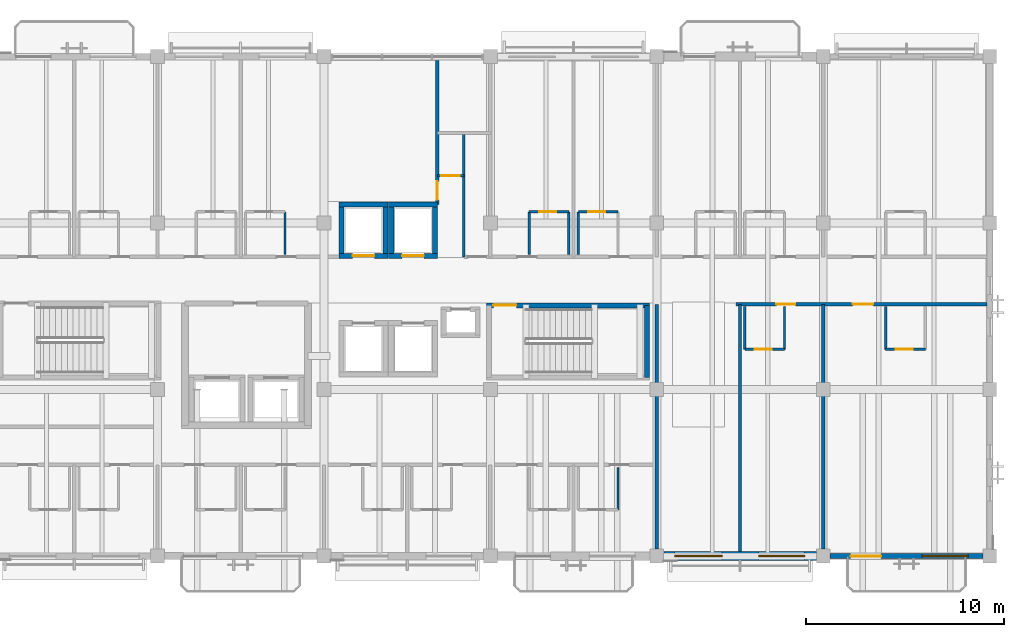
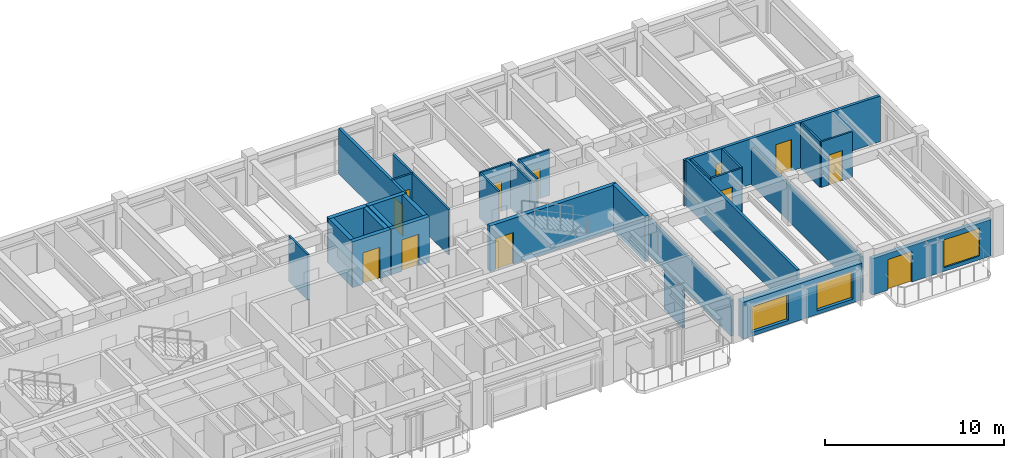
# One storey, part 10 of 18: 31 walls, 12 doors, 3 windows, 15 openings.
"""IFC4 building model written with IfcOpenShell, lengths in metres."""

from ifc_helpers import new_model, si_unit, direction, frame, frame_2d, origin, place, context, subcontext, project, spatial, rectangle, extrude, material, layer, layer_set, type_object, element, fill, save


model = new_model("IFC4")

# Units and contexts
model_context = context("Model", 3, precision=1e-05, world=origin(), true_north=direction((0.0, 1.0)))
body_context = subcontext(model_context, "Body", "Model", "MODEL_VIEW")
ifc_project = project(units=[si_unit("LENGTHUNIT", "METRE"), si_unit("AREAUNIT", "SQUARE_METRE"), si_unit("VOLUMEUNIT", "CUBIC_METRE"), si_unit("PLANEANGLEUNIT", "RADIAN"), si_unit("MASSUNIT", "GRAM", prefix="KILO")], contexts=[model_context])

# Site, building, storey
site_placement = place(None, origin())
site = spatial("IfcSite", under=ifc_project, at=site_placement, CompositionType="ELEMENT")
building_placement = place(site_placement, origin())
building = spatial("IfcBuilding", under=site, at=building_placement, Name="Cumbredor Promenade Congress Hotel", CompositionType="ELEMENT")
storey_placement = place(building_placement, frame((0.0, 0.0, 25.199951171875)))
storey = spatial("IfcBuildingStorey", under=building, at=storey_placement, Name="L07", CompositionType="ELEMENT", Elevation=25.199951171875)

# Wall
ifc_material_1 = material(Name="Moisture-resistant gypsum board on steel studs", Category="steel")
ifc_layer_1 = layer(ifc_material_1, 0.114990234375, Name="Moisture-resistant gypsum board on steel studs", Category="steel")
ifc_layer_set_1 = layer_set([ifc_layer_1], Name="Moisture-resistant gypsum board on steel studs")
wall_type_1 = type_object("IfcWallType", Name="WL-BATH-115", PredefinedType="PARTITIONING", material=ifc_layer_set_1)
wall_1_placement = place(storey_placement, frame((31.639892578125, 107.6201171875, 0.0), z_axis=(0.0, 0.0, 1.0), x_axis=(0.0, 1.0, 0.0)))
element("IfcWall", 1, at=wall_1_placement, inside=storey, type_object=wall_type_1, Name="L07 Interior Partition W-L07-BV2-0707", PredefinedType="PARTITIONING", context=body_context, shape_type="SweptSolid", body=[
    extrude(rectangle(XDim=2.14990234375, YDim=0.114990234375, at=frame_2d((1.074951171875, 0.0))), origin(), (0.0, 0.0, 1.0), 3.1201171875),
])

# Wall, opening, door
wall_2_placement = place(storey_placement, frame((43.9599609375, 109.77001953125, 0.0), z_axis=(0.0, 0.0, 1.0), x_axis=(1.0, 0.0, 0.0)))
wall_2 = element("IfcWall", 2, at=wall_2_placement, inside=storey, type_object=wall_type_1, Name="L07 Interior Partition W-L07-BH-0708", PredefinedType="PARTITIONING", context=body_context, shape_type="SweptSolid", body=[
    extrude(rectangle(XDim=2.0, YDim=0.114990234375, at=frame_2d((1.0, 0.0))), origin(), (0.0, 0.0, 1.0), 3.1201171875),
])
opening_1_placement = place(wall_2_placement, frame((0.5, 0.0, 0.0)))
opening_1 = element("IfcOpeningElement", 3, at=opening_1_placement, cuts=wall_2, Name="Opening ID-01", PredefinedType="OPENING", context=body_context, shape_type="SweptSolid", body=[
    extrude(rectangle(XDim=0.860107421875, YDim=2.050048828125, at=frame_2d((0.43017578125, 1.02490234375))), frame((0.0, 0.0673828125, 0.0), z_axis=(0.0, -1.0, 0.0), x_axis=(1.0, 0.0, 0.0)), (0.0, 0.0, 1.0), 0.135009765625),
])
ifc_material_2 = material(Name="Kiln-dried tropical hardwood", Category="wood")
door_type_1 = type_object("IfcDoorType", Name="DR-BATH-860", OperationType="NOTDEFINED", PredefinedType="DOOR", material=ifc_material_2)
door_1_placement = place(opening_1_placement, origin())
door_1 = element("IfcDoor", 4, at=door_1_placement, inside=storey, type_object=door_type_1, Name="L07 Interior Door W-L07-BH-0708-01", OperationType="SINGLE_SWING_RIGHT", OverallHeight=2.050048828125, OverallWidth=0.860107421875, PredefinedType="DOOR", context=body_context, shape_type="SweptSolid", body=[
    extrude(rectangle(XDim=0.860107421875, YDim=2.050048828125, at=frame_2d((0.43017578125, 1.02490234375))), frame((0.0, 0.02490234375, 0.0), z_axis=(0.0, -1.0, 0.0), x_axis=(1.0, 0.0, 0.0)), (0.0, 0.0, 1.0), 0.050048828125),
])
fill(opening_1, door_1)

# Walls
for number, where, z_axis, x_axis, name in (
    (5, (43.9599609375, 107.6201171875, 0.0), (0.0, 0.0, 1.0), (0.0, 1.0, 0.0), "L07 Interior Partition W-L07-BV1-0708"),
    (6, (45.9599609375, 107.6201171875, 0.0), (0.0, 0.0, 1.0), (0.0, 1.0, 0.0), "L07 Interior Partition W-L07-BV2-0708"),
):
    element("IfcWall", number, at=place(storey_placement, frame(where, z_axis=z_axis, x_axis=x_axis)), inside=storey, type_object=wall_type_1, Name=name, PredefinedType="PARTITIONING", context=body_context, shape_type="SweptSolid", body=[
        extrude(rectangle(XDim=2.14990234375, YDim=0.114990234375, at=frame_2d((1.074951171875, 0.0))), origin(), (0.0, 0.0, 1.0), 3.1201171875),
    ])

# Wall, opening, door
wall_3_placement = place(storey_placement, frame((46.43994140625, 109.77001953125, 0.0), z_axis=(0.0, 0.0, 1.0), x_axis=(1.0, 0.0, 0.0)))
wall_3 = element("IfcWall", 7, at=wall_3_placement, inside=storey, type_object=wall_type_1, Name="L07 Interior Partition W-L07-BH-0709", PredefinedType="PARTITIONING", context=body_context, shape_type="SweptSolid", body=[
    extrude(rectangle(XDim=2.0, YDim=0.114990234375, at=frame_2d((1.0, 0.0))), origin(), (0.0, 0.0, 1.0), 3.1201171875),
])
opening_2_placement = place(wall_3_placement, frame((0.5, 0.0, 0.0)))
opening_2 = element("IfcOpeningElement", 8, at=opening_2_placement, cuts=wall_3, Name="Opening ID-01", PredefinedType="OPENING", context=body_context, shape_type="SweptSolid", body=[
    extrude(rectangle(XDim=0.860107421875, YDim=2.050048828125, at=frame_2d((0.43017578125, 1.02490234375))), frame((0.0, 0.0673828125, 0.0), z_axis=(0.0, -1.0, 0.0), x_axis=(1.0, 0.0, 0.0)), (0.0, 0.0, 1.0), 0.135009765625),
])
door_2_placement = place(opening_2_placement, origin())
door_2 = element("IfcDoor", 9, at=door_2_placement, inside=storey, type_object=door_type_1, Name="L07 Interior Door W-L07-BH-0709-01", OperationType="SINGLE_SWING_LEFT", OverallHeight=2.050048828125, OverallWidth=0.860107421875, PredefinedType="DOOR", context=body_context, shape_type="SweptSolid", body=[
    extrude(rectangle(XDim=0.860107421875, YDim=2.050048828125, at=frame_2d((0.43017578125, 1.02490234375))), frame((0.0, 0.02490234375, 0.0), z_axis=(0.0, -1.0, 0.0), x_axis=(1.0, 0.0, 0.0)), (0.0, 0.0, 1.0), 0.050048828125),
])
fill(opening_2, door_2)

# Walls
wall_4_placement = place(storey_placement, frame((46.43994140625, 107.6201171875, 0.0), z_axis=(0.0, 0.0, 1.0), x_axis=(0.0, 1.0, 0.0)))
element("IfcWall", 10, at=wall_4_placement, inside=storey, type_object=wall_type_1, Name="L07 Interior Partition W-L07-BV1-0709", PredefinedType="PARTITIONING", context=body_context, shape_type="SweptSolid", body=[
    extrude(rectangle(XDim=2.14990234375, YDim=0.114990234375, at=frame_2d((1.074951171875, 0.0))), origin(), (0.0, 0.0, 1.0), 3.1201171875),
])
wall_5_placement = place(storey_placement, frame((48.43994140625, 94.72998046875, 0.0), z_axis=(0.0, 0.0, 1.0), x_axis=(0.0, 1.0, 0.0)))
element("IfcWall", 11, at=wall_5_placement, inside=storey, type_object=wall_type_1, Name="L07 Interior Partition W-L07-BV2-07712", PredefinedType="PARTITIONING", context=body_context, shape_type="SweptSolid", body=[
    extrude(rectangle(XDim=2.14990234375, YDim=0.114990234375, at=frame_2d((1.074951171875, 0.0))), origin(), (0.0, 0.0, 1.0), 2.64208984375),
])

# Wall, opening, door
wall_6_placement = place(storey_placement, frame((54.840087890625, 102.830078125, 0.0), z_axis=(0.0, 0.0, 1.0), x_axis=(1.0, 0.0, 0.0)))
wall_6 = element("IfcWall", 12, at=wall_6_placement, inside=storey, type_object=wall_type_1, Name="L07 Interior Partition W-L07-BH-0713", PredefinedType="PARTITIONING", context=body_context, shape_type="SweptSolid", body=[
    extrude(rectangle(XDim=2.0, YDim=0.114990234375, at=frame_2d((1.0, 0.0))), origin(), (0.0, 0.0, 1.0), 3.1201171875),
])
opening_3_placement = place(wall_6_placement, frame((0.5, 0.0, 0.0)))
opening_3 = element("IfcOpeningElement", 13, at=opening_3_placement, cuts=wall_6, Name="Opening ID-01", PredefinedType="OPENING", context=body_context, shape_type="SweptSolid", body=[
    extrude(rectangle(XDim=0.860107421875, YDim=2.050048828125, at=frame_2d((0.43017578125, 1.02490234375))), frame((0.0, 0.0673828125, 0.0), z_axis=(0.0, -1.0, 0.0), x_axis=(1.0, 0.0, 0.0)), (0.0, 0.0, 1.0), 0.135009765625),
])
door_3_placement = place(opening_3_placement, origin())
door_3 = element("IfcDoor", 14, at=door_3_placement, inside=storey, type_object=door_type_1, Name="L07 Interior Door W-L07-BH-0713-01", OperationType="SINGLE_SWING_LEFT", OverallHeight=2.050048828125, OverallWidth=0.860107421875, PredefinedType="DOOR", context=body_context, shape_type="SweptSolid", body=[
    extrude(rectangle(XDim=0.860107421875, YDim=2.050048828125, at=frame_2d((0.43017578125, 1.02490234375))), frame((0.0, 0.02490234375, 0.0), z_axis=(0.0, -1.0, 0.0), x_axis=(1.0, 0.0, 0.0)), (0.0, 0.0, 1.0), 0.050048828125),
])
fill(opening_3, door_3)

# Walls
for number, where, z_axis, x_axis, name in (
    (15, (54.840087890625, 102.830078125, 0.0), (0.0, 0.0, 1.0), (0.0, 1.0, 0.0), "L07 Interior Partition W-L07-BV1-0713"),
    (16, (56.840087890625, 102.830078125, 0.0), (0.0, 0.0, 1.0), (0.0, 1.0, 0.0), "L07 Interior Partition W-L07-BV2-0713"),
):
    element("IfcWall", number, at=place(storey_placement, frame(where, z_axis=z_axis, x_axis=x_axis)), inside=storey, type_object=wall_type_1, Name=name, PredefinedType="PARTITIONING", context=body_context, shape_type="SweptSolid", body=[
        extrude(rectangle(XDim=2.14990234375, YDim=0.114990234375, at=frame_2d((1.074951171875, 0.0))), origin(), (0.0, 0.0, 1.0), 3.1201171875),
    ])

# Wall, opening, door
wall_7_placement = place(storey_placement, frame((61.949951171875, 102.830078125, 0.0), z_axis=(0.0, 0.0, 1.0), x_axis=(1.0, 0.0, 0.0)))
wall_7 = element("IfcWall", 17, at=wall_7_placement, inside=storey, type_object=wall_type_1, Name="L07 Interior Partition W-L07-BH-0714", PredefinedType="PARTITIONING", context=body_context, shape_type="SweptSolid", body=[
    extrude(rectangle(XDim=2.0, YDim=0.114990234375, at=frame_2d((1.0, 0.0))), origin(), (0.0, 0.0, 1.0), 3.1201171875),
])
opening_4_placement = place(wall_7_placement, frame((0.5, 0.0, 0.0)))
opening_4 = element("IfcOpeningElement", 18, at=opening_4_placement, cuts=wall_7, Name="Opening ID-01", PredefinedType="OPENING", context=body_context, shape_type="SweptSolid", body=[
    extrude(rectangle(XDim=0.860107421875, YDim=2.050048828125, at=frame_2d((0.43017578125, 1.02490234375))), frame((0.0, 0.0673828125, 0.0), z_axis=(0.0, -1.0, 0.0), x_axis=(1.0, 0.0, 0.0)), (0.0, 0.0, 1.0), 0.135009765625),
])
door_4_placement = place(opening_4_placement, origin())
door_4 = element("IfcDoor", 19, at=door_4_placement, inside=storey, type_object=door_type_1, Name="L07 Interior Door W-L07-BH-0714-01", OperationType="SINGLE_SWING_RIGHT", OverallHeight=2.050048828125, OverallWidth=0.860107421875, PredefinedType="DOOR", context=body_context, shape_type="SweptSolid", body=[
    extrude(rectangle(XDim=0.860107421875, YDim=2.050048828125, at=frame_2d((0.43017578125, 1.02490234375))), frame((0.0, 0.02490234375, 0.0), z_axis=(0.0, -1.0, 0.0), x_axis=(1.0, 0.0, 0.0)), (0.0, 0.0, 1.0), 0.050048828125),
])
fill(opening_4, door_4)

# Wall
wall_8_placement = place(storey_placement, frame((61.949951171875, 102.830078125, 0.0), z_axis=(0.0, 0.0, 1.0), x_axis=(0.0, 1.0, 0.0)))
element("IfcWall", 20, at=wall_8_placement, inside=storey, type_object=wall_type_1, Name="L07 Interior Partition W-L07-BV1-0714", PredefinedType="PARTITIONING", context=body_context, shape_type="SweptSolid", body=[
    extrude(rectangle(XDim=2.14990234375, YDim=0.114990234375, at=frame_2d((1.074951171875, 0.0))), origin(), (0.0, 0.0, 1.0), 3.1201171875),
])

# Wall, opening, door
ifc_material_3 = material(Name="Fire-rated hotel corridor wall")
ifc_layer_2 = layer(ifc_material_3, 0.179931640625, Name="Fire-rated hotel corridor wall")
ifc_layer_set_2 = layer_set([ifc_layer_2], Name="Fire-rated hotel corridor wall")
wall_type_2 = type_object("IfcWallType", Name="WL-CORR-180", PredefinedType="PARTITIONING", material=ifc_layer_set_2)
wall_9_placement = place(storey_placement, frame((39.330078125, 110.14990234375, 0.0), z_axis=(0.0, 0.0, 1.0), x_axis=(0.0, 1.0, 0.0)))
wall_9 = element("IfcWall", 21, at=wall_9_placement, inside=storey, type_object=wall_type_2, Name="L07 Interior Partition W-L07-SALON-E", PredefinedType="PARTITIONING", context=body_context, shape_type="SweptSolid", body=[
    extrude(rectangle(XDim=7.260009765625, YDim=0.179931640625, at=frame_2d((3.6298828125, 0.0))), origin(), (0.0, 0.0, 1.0), 3.1201171875),
])
opening_5_placement = place(wall_9_placement, frame((0.219970703125, 0.0, 0.0)))
opening_5 = element("IfcOpeningElement", 22, at=opening_5_placement, cuts=wall_9, Name="Opening FD-03", PredefinedType="OPENING", context=body_context, shape_type="SweptSolid", body=[
    extrude(rectangle(XDim=0.93994140625, YDim=2.10009765625, at=frame_2d((0.469970703125, 1.050048828125))), frame((0.0, 0.10009765625, 0.0), z_axis=(0.0, -1.0, 0.0), x_axis=(1.0, 0.0, 0.0)), (0.0, 0.0, 1.0), 0.199951171875),
])
ifc_material_4 = material(Name="Painted galvanized steel fire door", Category="steel")
door_type_2 = type_object("IfcDoorType", Name="DR-SGL-FD60-950", OperationType="NOTDEFINED", PredefinedType="DOOR", material=ifc_material_4)
door_5_placement = place(opening_5_placement, origin())
door_5 = element("IfcDoor", 23, at=door_5_placement, inside=storey, type_object=door_type_2, Name="L07 Interior Door W-L07-SALON-E-01", OperationType="SINGLE_SWING_LEFT", OverallHeight=2.10009765625, OverallWidth=0.93994140625, PredefinedType="DOOR", context=body_context, shape_type="SweptSolid", body=[
    extrude(rectangle(XDim=0.93994140625, YDim=2.10009765625, at=frame_2d((0.469970703125, 1.050048828125))), frame((0.0, 0.02490234375, 0.0), z_axis=(0.0, -1.0, 0.0), x_axis=(1.0, 0.0, 0.0)), (0.0, 0.0, 1.0), 0.050048828125),
])
fill(opening_5, door_5)

# Wall, openings, doors
wall_10_placement = place(storey_placement, frame((54.39990234375, 105.10009765625, 0.0), z_axis=(0.0, 0.0, 1.0), x_axis=(1.0, 0.0, 0.0)))
wall_10 = element("IfcWall", 24, at=wall_10_placement, inside=storey, type_object=wall_type_2, Name="L07 Interior Partition W-L07-CORR-SE", PredefinedType="PARTITIONING", context=body_context, shape_type="SweptSolid", body=[
    extrude(rectangle(XDim=12.650146484375, YDim=0.179931640625, at=frame_2d((6.3251953125, 0.0))), origin(), (0.0, 0.0, 1.0), 3.1201171875),
])
opening_6_placement = place(wall_10_placement, frame((2.030029296875, 0.0, 0.0)))
opening_6 = element("IfcOpeningElement", 25, at=opening_6_placement, cuts=wall_10, Name="Opening FD-01", PredefinedType="OPENING", context=body_context, shape_type="SweptSolid", body=[
    extrude(rectangle(XDim=0.9599609375, YDim=2.14990234375, at=frame_2d((0.47998046875, 1.074951171875))), frame((0.0, 0.10009765625, 0.0), z_axis=(0.0, -1.0, 0.0), x_axis=(1.0, 0.0, 0.0)), (0.0, 0.0, 1.0), 0.199951171875),
])
opening_7_placement = place(wall_10_placement, frame((5.89990234375, 0.0, 0.0)))
opening_7 = element("IfcOpeningElement", 26, at=opening_7_placement, cuts=wall_10, Name="Opening FD-02", PredefinedType="OPENING", context=body_context, shape_type="SweptSolid", body=[
    extrude(rectangle(XDim=1.02001953125, YDim=2.14990234375, at=frame_2d((0.510009765625, 1.074951171875))), frame((0.0, 0.10009765625, 0.0), z_axis=(0.0, -1.0, 0.0), x_axis=(1.0, 0.0, 0.0)), (0.0, 0.0, 1.0), 0.199951171875),
])
ifc_material_5 = material(Name="Solid-core fire-rated tropical hardwood", Category="wood")
door_type_3 = type_object("IfcDoorType", Name="DR-GUEST-FD30-1000", OperationType="NOTDEFINED", PredefinedType="DOOR", material=ifc_material_5)
door_6_placement = place(opening_7_placement, origin())
door_6 = element("IfcDoor", 27, at=door_6_placement, inside=storey, type_object=door_type_3, Name="L07 Interior Door W-L07-CORR-SE-02", OperationType="SINGLE_SWING_LEFT", OverallHeight=2.14990234375, OverallWidth=1.02001953125, PredefinedType="DOOR", context=body_context, shape_type="SweptSolid", body=[
    extrude(rectangle(XDim=1.02001953125, YDim=2.14990234375, at=frame_2d((0.510009765625, 1.074951171875))), frame((0.0, 0.02490234375, 0.0), z_axis=(0.0, -1.0, 0.0), x_axis=(1.0, 0.0, 0.0)), (0.0, 0.0, 1.0), 0.050048828125),
])
fill(opening_7, door_6)
door_type_4 = type_object("IfcDoorType", Name="DR-GUEST-FD30-950", OperationType="NOTDEFINED", PredefinedType="DOOR", material=ifc_material_5)
door_7_placement = place(opening_6_placement, origin())
door_7 = element("IfcDoor", 28, at=door_7_placement, inside=storey, type_object=door_type_4, Name="L07 Interior Door W-L07-CORR-SE-01", OperationType="SINGLE_SWING_RIGHT", OverallHeight=2.14990234375, OverallWidth=0.9599609375, PredefinedType="DOOR", context=body_context, shape_type="SweptSolid", body=[
    extrude(rectangle(XDim=0.9599609375, YDim=2.14990234375, at=frame_2d((0.47998046875, 1.074951171875))), frame((0.0, 0.02490234375, 0.0), z_axis=(0.0, -1.0, 0.0), x_axis=(1.0, 0.0, 0.0)), (0.0, 0.0, 1.0), 0.050048828125),
])
fill(opening_6, door_7)

# Wall, openings, door, window
ifc_material_6 = material(Name="Concrete C40/50", Category="concrete")
ifc_layer_3 = layer(ifc_material_6, 0.260009765625, Name="Concrete C40/50", Category="concrete")
ifc_layer_set_3 = layer_set([ifc_layer_3], Name="Concrete C40/50")
wall_type_3 = type_object("IfcWallType", Name="WL-EXT-260", PredefinedType="SOLIDWALL", material=ifc_layer_set_3)
wall_11_placement = place(storey_placement, frame((59.15087890625, 92.39990234375, 0.0), z_axis=(0.0, 0.0, 1.0), x_axis=(1.0, 0.0, 0.0)))
wall_11 = element("IfcWall", 29, at=wall_11_placement, inside=storey, type_object=wall_type_3, Name="L07 Stepped Congress Hotel Wing South Envelope Wall 8", PredefinedType="SOLIDWALL", context=body_context, shape_type="SweptSolid", body=[
    extrude(rectangle(XDim=7.6982421875, YDim=0.260009765625, at=frame_2d((3.84912109375, 0.0))), origin(), (0.0, 0.0, 1.0), 2.494140625),
])
opening_8_placement = place(wall_11_placement, frame((1.02392578125, 0.0, 0.0)))
opening_8 = element("IfcOpeningElement", 30, at=opening_8_placement, cuts=wall_11, Name="Opening TD-01", PredefinedType="OPENING", context=body_context, shape_type="SweptSolid", body=[
    extrude(rectangle(XDim=1.550048828125, YDim=2.080078125, at=frame_2d((0.77490234375, 1.0400390625))), frame((0.0, 0.14013671875, 0.0), z_axis=(0.0, -1.0, 0.0), x_axis=(1.0, 0.0, 0.0)), (0.0, 0.0, 1.0), 0.280029296875),
])
opening_9_placement = place(wall_11_placement, frame((4.638916015625, 0.0, 0.25)))
opening_9 = element("IfcOpeningElement", 31, at=opening_9_placement, cuts=wall_11, Name="Opening WN-36", PredefinedType="OPENING", context=body_context, shape_type="SweptSolid", body=[
    extrude(rectangle(XDim=2.320068359375, YDim=1.89990234375, at=frame_2d((1.16015625, 0.949951171875))), frame((0.0, 0.14013671875, 0.0), z_axis=(0.0, -1.0, 0.0), x_axis=(1.0, 0.0, 0.0)), (0.0, 0.0, 1.0), 0.280029296875),
])
ifc_material_7 = material(Name="Thermally broken anodized aluminium and laminated safety glass", Category="aluminium")
door_type_5 = type_object("IfcDoorType", Name="EXT-DR-TER-1550x2080", OperationType="DOUBLE_DOOR_SINGLE_SWING", PredefinedType="DOOR", material=ifc_material_7)
door_8_placement = place(opening_8_placement, frame((1.550048828125, 0.0, 0.0), z_axis=(0.0, 0.0, 1.0), x_axis=(-1.0, 0.0, 0.0)))
door_8 = element("IfcDoor", 32, at=door_8_placement, inside=storey, type_object=door_type_5, Name="L07 Guestroom Veranda Balcony Door 078", OperationType="DOUBLE_DOOR_SINGLE_SWING", OverallHeight=2.080078125, OverallWidth=1.550048828125, PredefinedType="DOOR", context=body_context, shape_type="SweptSolid", body=[
    extrude(rectangle(XDim=1.550048828125, YDim=2.080078125, at=frame_2d((0.77490234375, 1.0400390625))), frame((0.0, 0.02490234375, 0.0), z_axis=(0.0, -1.0, 0.0), x_axis=(1.0, 0.0, 0.0)), (0.0, 0.0, 1.0), 0.050048828125),
])
fill(opening_8, door_8)
ifc_material_8 = material(Name="Thermally broken anodized aluminium and low-E glass", Category="aluminium")
window_type_1 = type_object("IfcWindowType", Name="Hospitality Floor-to-Ceiling Window WN-36 2320x1900", PartitioningType="DOUBLE_PANEL_VERTICAL", PredefinedType="WINDOW", material=ifc_material_8)
window_1_placement = place(opening_9_placement, origin())
window_1 = element("IfcWindow", 33, at=window_1_placement, inside=storey, type_object=window_type_1, Name="L07 Veranda Companion Floor-to-Ceiling Window 0626", OverallHeight=1.89990234375, OverallWidth=2.320068359375, PartitioningType="DOUBLE_PANEL_VERTICAL", PredefinedType="WINDOW", context=body_context, shape_type="SweptSolid", body=[
    extrude(rectangle(XDim=2.320068359375, YDim=1.89990234375, at=frame_2d((1.16015625, 0.949951171875))), frame((0.0, 0.030029296875, 0.0), z_axis=(0.0, -1.0, 0.0), x_axis=(1.0, 0.0, 0.0)), (0.0, 0.0, 1.0), 0.06005859375),
])
fill(opening_9, window_1)

# Wall, openings, windows
ifc_layer_4 = layer(ifc_material_6, 0.449951171875, Name="Concrete C40/50", Category="concrete")
ifc_layer_set_4 = layer_set([ifc_layer_4], Name="Concrete C40/50")
wall_type_4 = type_object("IfcWallType", Name="WL-EXT-450", PredefinedType="SOLIDWALL", material=ifc_layer_set_4)
wall_12_placement = place(storey_placement, frame((50.7509765625, 92.39990234375, 0.0), z_axis=(0.0, 0.0, 1.0), x_axis=(1.0, 0.0, 0.0)))
wall_12 = element("IfcWall", 34, at=wall_12_placement, inside=storey, type_object=wall_type_4, Name="L07 Stepped Congress Hotel Wing South Envelope Wall 7", PredefinedType="SOLIDWALL", context=body_context, shape_type="SweptSolid", body=[
    extrude(rectangle(XDim=7.697998046875, YDim=0.449951171875, at=frame_2d((3.84912109375, 0.0))), origin(), (0.0, 0.0, 1.0), 2.494140625),
])
opening_10_placement = place(wall_12_placement, frame((0.549072265625, 0.0, 0.25)))
opening_10 = element("IfcOpeningElement", 35, at=opening_10_placement, cuts=wall_12, Name="Opening WN-26", PredefinedType="OPENING", context=body_context, shape_type="SweptSolid", body=[
    extrude(rectangle(XDim=2.39990234375, YDim=1.75, at=frame_2d((1.199951171875, 0.875))), frame((0.0, 0.23486328125, 0.0), z_axis=(0.0, -1.0, 0.0), x_axis=(1.0, 0.0, 0.0)), (0.0, 0.0, 1.0), 0.469970703125),
])
opening_11_placement = place(wall_12_placement, frame((4.7890625, 0.0, 0.25)))
opening_11 = element("IfcOpeningElement", 36, at=opening_11_placement, cuts=wall_12, Name="Opening WN-36", PredefinedType="OPENING", context=body_context, shape_type="SweptSolid", body=[
    extrude(rectangle(XDim=2.320068359375, YDim=1.89990234375, at=frame_2d((1.16015625, 0.949951171875))), frame((0.0, 0.23486328125, 0.0), z_axis=(0.0, -1.0, 0.0), x_axis=(1.0, 0.0, 0.0)), (0.0, 0.0, 1.0), 0.469970703125),
])
window_type_2 = type_object("IfcWindowType", Name="Hospitality Floor-to-Ceiling Window WN-26 2400x1750", PartitioningType="DOUBLE_PANEL_VERTICAL", PredefinedType="WINDOW", material=ifc_material_8)
window_2_placement = place(opening_10_placement, origin())
window_2 = element("IfcWindow", 37, at=window_2_placement, inside=storey, type_object=window_type_2, Name="L07 Wide Hospitality Window 0624", OverallHeight=1.75, OverallWidth=2.39990234375, PartitioningType="DOUBLE_PANEL_VERTICAL", PredefinedType="WINDOW", context=body_context, shape_type="SweptSolid", body=[
    extrude(rectangle(XDim=2.39990234375, YDim=1.75, at=frame_2d((1.199951171875, 0.875))), frame((0.0, 0.030029296875, 0.0), z_axis=(0.0, -1.0, 0.0), x_axis=(1.0, 0.0, 0.0)), (0.0, 0.0, 1.0), 0.06005859375),
])
fill(opening_10, window_2)
window_3_placement = place(opening_11_placement, origin())
window_3 = element("IfcWindow", 38, at=window_3_placement, inside=storey, type_object=window_type_1, Name="L07 Wide Hospitality Window 0625", OverallHeight=1.89990234375, OverallWidth=2.320068359375, PartitioningType="DOUBLE_PANEL_VERTICAL", PredefinedType="WINDOW", context=body_context, shape_type="SweptSolid", body=[
    extrude(rectangle(XDim=2.320068359375, YDim=1.89990234375, at=frame_2d((1.16015625, 0.949951171875))), frame((0.0, 0.030029296875, 0.0), z_axis=(0.0, -1.0, 0.0), x_axis=(1.0, 0.0, 0.0)), (0.0, 0.0, 1.0), 0.06005859375),
])
fill(opening_11, window_3)

# Wall, opening, door
ifc_material_9 = material(Name="Gypsum board on steel studs", Category="steel")
ifc_layer_5 = layer(ifc_material_9, 0.125, Name="Gypsum board on steel studs", Category="steel")
ifc_layer_set_5 = layer_set([ifc_layer_5], Name="Gypsum board on steel studs")
wall_type_5 = type_object("IfcWallType", Name="WL-PART-125", PredefinedType="PARTITIONING", material=ifc_layer_set_5)
wall_13_placement = place(storey_placement, frame((39.330078125, 111.60009765625, 0.0), z_axis=(0.0, 0.0, 1.0), x_axis=(1.0, 0.0, 0.0)))
wall_13 = element("IfcWall", 39, at=wall_13_placement, inside=storey, type_object=wall_type_5, Name="L07 Interior Partition W-L07-HK-S", PredefinedType="PARTITIONING", context=body_context, shape_type="SweptSolid", body=[
    extrude(rectangle(XDim=1.329833984375, YDim=0.125, at=frame_2d((0.6650390625, 0.0))), origin(), (0.0, 0.0, 1.0), 3.1201171875),
])
opening_12_placement = place(wall_13_placement, frame((0.195068359375, 0.0, 0.0)))
opening_12 = element("IfcOpeningElement", 40, at=opening_12_placement, cuts=wall_13, Name="Opening FD-03", PredefinedType="OPENING", context=body_context, shape_type="SweptSolid", body=[
    extrude(rectangle(XDim=0.93994140625, YDim=2.10009765625, at=frame_2d((0.469970703125, 1.050048828125))), frame((0.0, 0.072509765625, 0.0), z_axis=(0.0, -1.0, 0.0), x_axis=(1.0, 0.0, 0.0)), (0.0, 0.0, 1.0), 0.14501953125),
])
door_9_placement = place(opening_12_placement, origin())
door_9 = element("IfcDoor", 41, at=door_9_placement, inside=storey, type_object=door_type_2, Name="L07 Interior Door W-L07-HK-S-01", OperationType="SINGLE_SWING_LEFT", OverallHeight=2.10009765625, OverallWidth=0.93994140625, PredefinedType="DOOR", context=body_context, shape_type="SweptSolid", body=[
    extrude(rectangle(XDim=0.93994140625, YDim=2.10009765625, at=frame_2d((0.469970703125, 1.050048828125))), frame((0.0, 0.02490234375, 0.0), z_axis=(0.0, -1.0, 0.0), x_axis=(1.0, 0.0, 0.0)), (0.0, 0.0, 1.0), 0.050048828125),
])
fill(opening_12, door_9)

# Wall
wall_14_placement = place(storey_placement, frame((40.659912109375, 107.5, 0.0), z_axis=(0.0, 0.0, 1.0), x_axis=(0.0, 1.0, 0.0)))
element("IfcWall", 42, at=wall_14_placement, inside=storey, type_object=wall_type_5, Name="L07 Interior Partition W-L07-HK-DIV", PredefinedType="PARTITIONING", context=body_context, shape_type="SweptSolid", body=[
    extrude(rectangle(XDim=6.25, YDim=0.125, at=frame_2d((3.125, 0.0))), origin(), (0.0, 0.0, 1.0), 3.1201171875),
])

# Wall, opening, door
ifc_layer_6 = layer(ifc_material_6, 0.2548828125, Name="Concrete C40/50", Category="concrete")
ifc_layer_set_6 = layer_set([ifc_layer_6], Name="Concrete C40/50")
wall_type_6 = type_object("IfcWallType", Name="WL-SHAFT-250", PredefinedType="SOLIDWALL", material=ifc_layer_set_6)
wall_15_placement = place(storey_placement, frame((41.802490234375, 105.050048828125, 0.0), z_axis=(0.0, 0.0, 1.0), x_axis=(1.0, 0.0, 0.0)))
wall_15 = element("IfcWall", 43, at=wall_15_placement, inside=storey, type_object=wall_type_6, Name="STAIR-ST-03-L07 Shaft Wall North", PredefinedType="SOLIDWALL", context=body_context, shape_type="SweptSolid", body=[
    extrude(rectangle(XDim=8.22509765625, YDim=0.2548828125, at=frame_2d((4.112548828125, 0.0))), origin(), (0.0, 0.0, 1.0), 3.1201171875),
])
opening_13_placement = place(wall_15_placement, frame((0.35009765625, 0.0, 0.0)))
opening_13 = element("IfcOpeningElement", 44, at=opening_13_placement, cuts=wall_15, Name="Opening SD-01", PredefinedType="OPENING", context=body_context, shape_type="SweptSolid", body=[
    extrude(rectangle(XDim=1.159912109375, YDim=2.14990234375, at=frame_2d((0.580078125, 1.074951171875))), frame((0.0, 0.137451171875, 0.0), z_axis=(0.0, -1.0, 0.0), x_axis=(1.0, 0.0, 0.0)), (0.0, 0.0, 1.0), 0.27490234375),
])
door_type_6 = type_object("IfcDoorType", Name="DR-STAIR-FD90-1150", OperationType="NOTDEFINED", PredefinedType="DOOR", material=ifc_material_4)
door_10_placement = place(opening_13_placement, origin())
door_10 = element("IfcDoor", 45, at=door_10_placement, inside=storey, type_object=door_type_6, Name="L07 Protected Exit Stair ST-03 Door", OperationType="SINGLE_SWING_LEFT", OverallHeight=2.14990234375, OverallWidth=1.159912109375, PredefinedType="DOOR", context=body_context, shape_type="SweptSolid", body=[
    extrude(rectangle(XDim=1.159912109375, YDim=2.14990234375, at=frame_2d((0.580078125, 1.074951171875))), frame((0.0, 0.02490234375, 0.0), z_axis=(0.0, -1.0, 0.0), x_axis=(1.0, 0.0, 0.0)), (0.0, 0.0, 1.0), 0.050048828125),
])
fill(opening_13, door_10)

# Wall
wall_16_placement = place(storey_placement, frame((49.89990234375, 101.419921875, 0.0), z_axis=(0.0, 0.0, 1.0), x_axis=(0.0, 1.0, 0.0)))
element("IfcWall", 46, at=wall_16_placement, inside=storey, type_object=wall_type_6, Name="STAIR-ST-03-L07 Shaft Wall East", PredefinedType="SOLIDWALL", context=body_context, shape_type="SweptSolid", body=[
    extrude(rectangle(XDim=3.630126953125, YDim=0.2548828125, at=frame_2d((1.81494140625, 0.0))), origin(), (0.0, 0.0, 1.0), 3.1201171875),
])

# Wall, opening, door
wall_17_placement = place(storey_placement, frame((34.37255859375, 107.550048828125, 0.0), z_axis=(0.0, 0.0, 1.0), x_axis=(1.0, 0.0, 0.0)))
wall_17 = element("IfcWall", 47, at=wall_17_placement, inside=storey, type_object=wall_type_6, Name="SHAFT-PL-01-L07 Shaft Wall South", PredefinedType="SOLIDWALL", context=body_context, shape_type="SweptSolid", body=[
    extrude(rectangle(XDim=2.454833984375, YDim=0.2548828125, at=frame_2d((1.2275390625, 0.0))), origin(), (0.0, 0.0, 1.0), 3.1201171875),
])
opening_14_placement = place(wall_17_placement, frame((0.677490234375, 0.0, 0.0)))
opening_14 = element("IfcOpeningElement", 48, at=opening_14_placement, cuts=wall_17, Name="Opening LD-01", PredefinedType="OPENING", context=body_context, shape_type="SweptSolid", body=[
    extrude(rectangle(XDim=1.10009765625, YDim=2.14990234375, at=frame_2d((0.550048828125, 1.074951171875))), frame((0.0, 0.137451171875, 0.0), z_axis=(0.0, -1.0, 0.0), x_axis=(1.0, 0.0, 0.0)), (0.0, 0.0, 1.0), 0.27490234375),
])
ifc_material_10 = material(Name="Brushed stainless steel", Category="steel")
door_type_7 = type_object("IfcDoorType", Name="Lift Landing Sliding Door LD-01 1100x2150", OperationType="DOUBLE_DOOR_SLIDING", PredefinedType="DOOR", material=ifc_material_10)
door_11_placement = place(opening_14_placement, origin())
door_11 = element("IfcDoor", 49, at=door_11_placement, inside=storey, type_object=door_type_7, Name="L07 Hotel Passenger Lift PL-01 Sliding Landing Door", OperationType="DOUBLE_DOOR_SLIDING", OverallHeight=2.14990234375, OverallWidth=1.10009765625, PredefinedType="DOOR", context=body_context, shape_type="SweptSolid", body=[
    extrude(rectangle(XDim=1.10009765625, YDim=2.14990234375, at=frame_2d((0.550048828125, 1.074951171875))), frame((0.0, 0.02490234375, 0.0), z_axis=(0.0, -1.0, 0.0), x_axis=(1.0, 0.0, 0.0)), (0.0, 0.0, 1.0), 0.050048828125),
])
fill(opening_14, door_11)

# Walls
wall_18_placement = place(storey_placement, frame((34.37255859375, 110.14990234375, 0.0), z_axis=(0.0, 0.0, 1.0), x_axis=(1.0, 0.0, 0.0)))
element("IfcWall", 50, at=wall_18_placement, inside=storey, type_object=wall_type_6, Name="SHAFT-PL-01-L07 Shaft Wall North", PredefinedType="SOLIDWALL", context=body_context, shape_type="SweptSolid", body=[
    extrude(rectangle(XDim=2.454833984375, YDim=0.2548828125, at=frame_2d((1.2275390625, 0.0))), origin(), (0.0, 0.0, 1.0), 3.1201171875),
])
for number, where, z_axis, x_axis, name in (
    (51, (34.5, 107.550048828125, 0.0), (0.0, 0.0, 1.0), (0.0, 1.0, 0.0), "SHAFT-PL-01-L07 Shaft Wall West"),
    (52, (36.699951171875, 107.550048828125, 0.0), (0.0, 0.0, 1.0), (0.0, 1.0, 0.0), "SHAFT-PL-01-L07 Shaft Wall East"),
):
    element("IfcWall", number, at=place(storey_placement, frame(where, z_axis=z_axis, x_axis=x_axis)), inside=storey, type_object=wall_type_6, Name=name, PredefinedType="SOLIDWALL", context=body_context, shape_type="SweptSolid", body=[
        extrude(rectangle(XDim=2.599853515625, YDim=0.2548828125, at=frame_2d((1.2998046875, 0.0))), origin(), (0.0, 0.0, 1.0), 3.1201171875),
    ])

# Wall, opening, door
wall_19_placement = place(storey_placement, frame((36.87255859375, 107.550048828125, 0.0), z_axis=(0.0, 0.0, 1.0), x_axis=(1.0, 0.0, 0.0)))
wall_19 = element("IfcWall", 53, at=wall_19_placement, inside=storey, type_object=wall_type_6, Name="SHAFT-PL-02-L07 Shaft Wall South", PredefinedType="SOLIDWALL", context=body_context, shape_type="SweptSolid", body=[
    extrude(rectangle(XDim=2.454833984375, YDim=0.2548828125, at=frame_2d((1.2275390625, 0.0))), origin(), (0.0, 0.0, 1.0), 3.1201171875),
])
opening_15_placement = place(wall_19_placement, frame((0.677490234375, 0.0, 0.0)))
opening_15 = element("IfcOpeningElement", 54, at=opening_15_placement, cuts=wall_19, Name="Opening LD-01", PredefinedType="OPENING", context=body_context, shape_type="SweptSolid", body=[
    extrude(rectangle(XDim=1.10009765625, YDim=2.14990234375, at=frame_2d((0.550048828125, 1.074951171875))), frame((0.0, 0.137451171875, 0.0), z_axis=(0.0, -1.0, 0.0), x_axis=(1.0, 0.0, 0.0)), (0.0, 0.0, 1.0), 0.27490234375),
])
door_12_placement = place(opening_15_placement, origin())
door_12 = element("IfcDoor", 55, at=door_12_placement, inside=storey, type_object=door_type_7, Name="L07 Hotel Passenger Lift PL-02 Sliding Landing Door", OperationType="DOUBLE_DOOR_SLIDING", OverallHeight=2.14990234375, OverallWidth=1.10009765625, PredefinedType="DOOR", context=body_context, shape_type="SweptSolid", body=[
    extrude(rectangle(XDim=1.10009765625, YDim=2.14990234375, at=frame_2d((0.550048828125, 1.074951171875))), frame((0.0, 0.02490234375, 0.0), z_axis=(0.0, -1.0, 0.0), x_axis=(1.0, 0.0, 0.0)), (0.0, 0.0, 1.0), 0.050048828125),
])
fill(opening_15, door_12)

# Walls
wall_20_placement = place(storey_placement, frame((36.87255859375, 110.14990234375, 0.0), z_axis=(0.0, 0.0, 1.0), x_axis=(1.0, 0.0, 0.0)))
element("IfcWall", 56, at=wall_20_placement, inside=storey, type_object=wall_type_6, Name="SHAFT-PL-02-L07 Shaft Wall North", PredefinedType="SOLIDWALL", context=body_context, shape_type="SweptSolid", body=[
    extrude(rectangle(XDim=2.454833984375, YDim=0.2548828125, at=frame_2d((1.2275390625, 0.0))), origin(), (0.0, 0.0, 1.0), 3.1201171875),
])
for number, where, z_axis, x_axis, name in (
    (57, (37.0, 107.550048828125, 0.0), (0.0, 0.0, 1.0), (0.0, 1.0, 0.0), "SHAFT-PL-02-L07 Shaft Wall West"),
    (58, (39.199951171875, 107.550048828125, 0.0), (0.0, 0.0, 1.0), (0.0, 1.0, 0.0), "SHAFT-PL-02-L07 Shaft Wall East"),
):
    element("IfcWall", number, at=place(storey_placement, frame(where, z_axis=z_axis, x_axis=x_axis)), inside=storey, type_object=wall_type_6, Name=name, PredefinedType="SOLIDWALL", context=body_context, shape_type="SweptSolid", body=[
        extrude(rectangle(XDim=2.599853515625, YDim=0.2548828125, at=frame_2d((1.2998046875, 0.0))), origin(), (0.0, 0.0, 1.0), 3.1201171875),
    ])
ifc_material_11 = material(Name="Fire-rated acoustic double-stud partition")
ifc_layer_7 = layer(ifc_material_11, 0.1650390625, Name="Fire-rated acoustic double-stud partition")
ifc_layer_set_7 = layer_set([ifc_layer_7], Name="Fire-rated acoustic double-stud partition")
wall_type_7 = type_object("IfcWallType", Name="WL-UNIT-165", PredefinedType="PARTITIONING", material=ifc_layer_set_7)
wall_21_placement = place(storey_placement, frame((54.60009765625, 92.625, 0.0), z_axis=(0.0, 0.0, 1.0), x_axis=(0.0, 1.0, 0.0)))
element("IfcWall", 59, at=wall_21_placement, inside=storey, type_object=wall_type_7, Name="L07 Interior Partition W-L07-SE-DIV-0-M", PredefinedType="PARTITIONING", context=body_context, shape_type="SweptSolid", body=[
    extrude(rectangle(XDim=12.47509765625, YDim=0.1650390625, at=frame_2d((6.237548828125, 0.0))), origin(), (0.0, 0.0, 1.0), 3.1201171875),
])
for number, where, z_axis, x_axis, name in (
    (60, (50.39990234375, 92.75, 0.0), (0.0, 0.0, 1.0), (0.0, 1.0, 0.0), "L07 Interior Partition W-L07-SE-DIV-0-G"),
    (61, (58.800048828125, 92.75, 0.0), (0.0, 0.0, 1.0), (0.0, 1.0, 0.0), "L07 Interior Partition W-L07-SE-DIV-1-G"),
):
    element("IfcWall", number, at=place(storey_placement, frame(where, z_axis=z_axis, x_axis=x_axis)), inside=storey, type_object=wall_type_7, Name=name, PredefinedType="PARTITIONING", context=body_context, shape_type="SweptSolid", body=[
        extrude(rectangle(XDim=12.35009765625, YDim=0.1650390625, at=frame_2d((6.175048828125, 0.0))), origin(), (0.0, 0.0, 1.0), 2.455078125),
    ])

save(model, "model.ifc")
